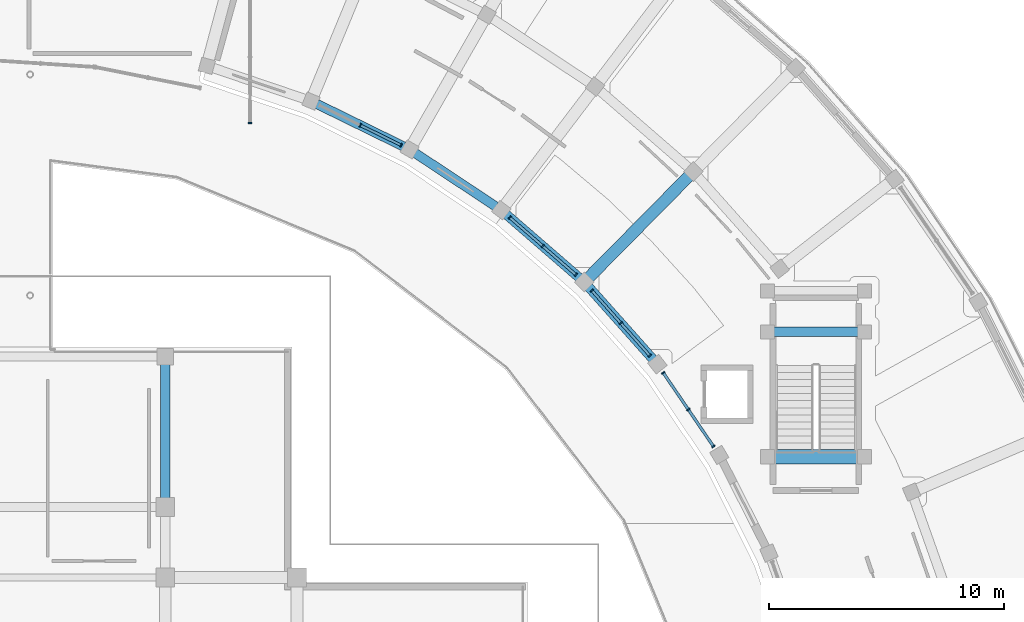
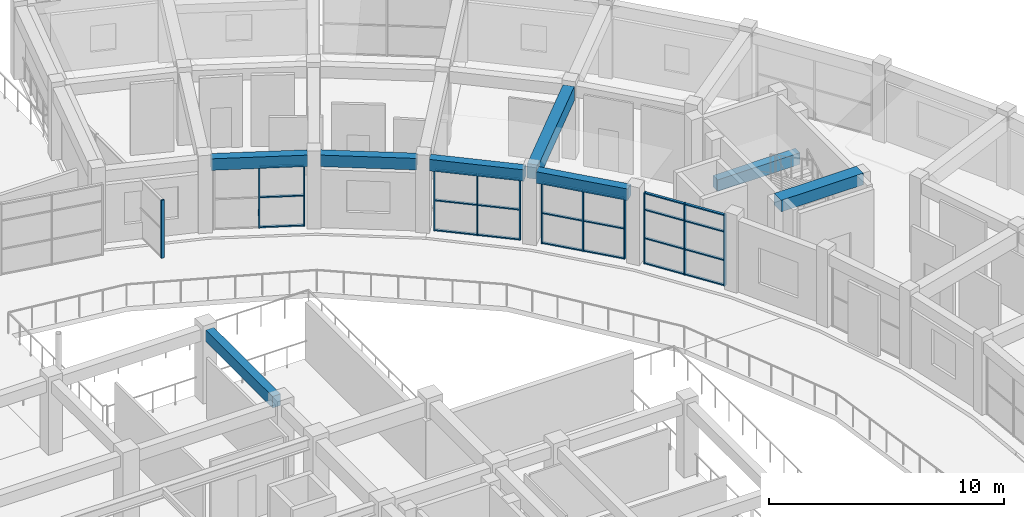
# One storey, part 36 of 83: 35 members, 8 beams, 5 elements without a shape of their own.
"""IFC4 building model written with IfcOpenShell, lengths in metres."""

from ifc_helpers import new_model, si_unit, direction, frame, origin, origin_2d, place, context, subcontext, project, spatial, rectangle, extrude, material, material_profile, profile_set, type_object, element, aggregate, save


model = new_model("IFC4")

# Units and contexts
model_context = context("Model", 3, precision=1e-05, world=origin(), true_north=direction((0.0, 1.0)))
body_context = subcontext(model_context, "Body", "Model", "MODEL_VIEW")
ifc_project = project(units=[si_unit("LENGTHUNIT", "METRE"), si_unit("AREAUNIT", "SQUARE_METRE"), si_unit("VOLUMEUNIT", "CUBIC_METRE"), si_unit("PLANEANGLEUNIT", "RADIAN"), si_unit("MASSUNIT", "GRAM", prefix="KILO")], contexts=[model_context])

# Site, building, storey
site_placement = place(None, origin())
site = spatial("IfcSite", under=ifc_project, at=site_placement, CompositionType="ELEMENT")
building_placement = place(site_placement, origin())
building = spatial("IfcBuilding", under=site, at=building_placement, Name="Saryqyr Civic Hall", CompositionType="ELEMENT")
storey_placement = place(building_placement, frame((0.0, 0.0, 9.14990234375)))
storey = spatial("IfcBuildingStorey", under=building, at=storey_placement, Name="L02", CompositionType="ELEMENT", Elevation=9.14990234375)

# Curtain wall, members
ifc_material_1 = material(Name="Anodised aluminium and triple low-E glass", Category="aluminium")
curtain_wall_type_1 = type_object("IfcCurtainWallType", Name="ENV-CW-STD-44", PredefinedType="NOTDEFINED", material=ifc_material_1)
curtain_wall_1_placement = place(storey_placement, origin())
curtain_wall_1 = element("IfcCurtainWall", 1, at=curtain_wall_1_placement, inside=storey, type_object=curtain_wall_type_1, Name="Curtain wall V6-CWI-L02-04", PredefinedType="NOTDEFINED")
ifc_material_2 = material(Name="Anodised aluminium", Category="aluminium")
ifc_material_profile_1 = material_profile(ifc_material_2, rectangle(XDim=0.06005859375, YDim=0.159912109375, at=origin_2d()), Name="ALU MULLION 60x160")
ifc_profile_set_1 = profile_set([ifc_material_profile_1], Name="Anodised aluminium")
member_type_1 = type_object("IfcMemberType", Name="ENV-CW-MUL-180", PredefinedType="MULLION", material=ifc_profile_set_1)
member_1_placement = place(storey_placement, frame((87.919921875, 102.77587890625, 0.0), z_axis=(0.0, 0.0, 1.0), x_axis=(-0.563129803105, 0.826368455869, 0.0)))
member_1 = element("IfcMember", 2, at=member_1_placement, type_object=member_type_1, Name="CW-44 mullion 1", PredefinedType="MULLION", context=body_context, shape_type="SweptSolid", body=[
    extrude(rectangle(XDim=0.06005859375, YDim=0.159912109375, at=origin_2d()), origin(), (0.0, 0.0, 1.0), 3.7001953125),
])
member_2_placement = place(storey_placement, frame((86.85205078125, 104.3427734375, 0.0), z_axis=(0.0, 0.0, 1.0), x_axis=(-0.563129803105, 0.826368455869, 0.0)))
member_2 = element("IfcMember", 3, at=member_2_placement, type_object=member_type_1, Name="CW-44 mullion 2", PredefinedType="MULLION", context=body_context, shape_type="SweptSolid", body=[
    extrude(rectangle(XDim=0.06005859375, YDim=0.159912109375, at=origin_2d()), origin(), (0.0, 0.0, 1.0), 3.7001953125),
])
member_3_placement = place(storey_placement, frame((85.7841796875, 105.90966796875, 0.0), z_axis=(0.0, 0.0, 1.0), x_axis=(-0.563129803105, 0.826368455869, 0.0)))
member_3 = element("IfcMember", 4, at=member_3_placement, type_object=member_type_1, Name="CW-44 mullion 3", PredefinedType="MULLION", context=body_context, shape_type="SweptSolid", body=[
    extrude(rectangle(XDim=0.06005859375, YDim=0.159912109375, at=origin_2d()), origin(), (0.0, 0.0, 1.0), 3.7001953125),
])

curtain_wall_type_2 = type_object("IfcCurtainWallType", Name="ENV-CW-STD-27", PredefinedType="NOTDEFINED", material=ifc_material_1)
curtain_wall_2_placement = place(storey_placement, origin())
curtain_wall_2 = element("IfcCurtainWall", 5, at=curtain_wall_2_placement, inside=storey, type_object=curtain_wall_type_2, Name="Curtain wall V6-CWI-L02-05", PredefinedType="NOTDEFINED")
member_4_placement = place(storey_placement, frame((85.213134765625, 106.636962890625, 0.0), z_axis=(0.0, 0.0, 1.0), x_axis=(-0.664934070862, 0.7469020561, 0.0)))
member_4 = element("IfcMember", 6, at=member_4_placement, type_object=member_type_1, Name="CW-27 mullion 1", PredefinedType="MULLION", context=body_context, shape_type="SweptSolid", body=[
    extrude(rectangle(XDim=0.06005859375, YDim=0.159912109375, at=origin_2d()), origin(), (0.0, 0.0, 1.0), 3.1650390625),
])
member_5_placement = place(storey_placement, frame((83.981201171875, 108.0205078125, 0.0), z_axis=(0.0, 0.0, 1.0), x_axis=(-0.664934070862, 0.7469020561, 0.0)))
member_5 = element("IfcMember", 7, at=member_5_placement, type_object=member_type_1, Name="CW-27 mullion 2", PredefinedType="MULLION", context=body_context, shape_type="SweptSolid", body=[
    extrude(rectangle(XDim=0.06005859375, YDim=0.159912109375, at=origin_2d()), origin(), (0.0, 0.0, 1.0), 3.1650390625),
])
member_6_placement = place(storey_placement, frame((82.74951171875, 109.404052734375, 0.0), z_axis=(0.0, 0.0, 1.0), x_axis=(-0.664934070862, 0.7469020561, 0.0)))
member_6 = element("IfcMember", 8, at=member_6_placement, type_object=member_type_1, Name="CW-27 mullion 3", PredefinedType="MULLION", context=body_context, shape_type="SweptSolid", body=[
    extrude(rectangle(XDim=0.06005859375, YDim=0.159912109375, at=origin_2d()), origin(), (0.0, 0.0, 1.0), 3.1650390625),
])

curtain_wall_3_placement = place(storey_placement, origin())
curtain_wall_3 = element("IfcCurtainWall", 9, at=curtain_wall_3_placement, inside=storey, type_object=curtain_wall_type_2, Name="Curtain wall V6-CWI-L02-06", PredefinedType="NOTDEFINED")
member_7_placement = place(storey_placement, frame((82.064208984375, 110.080810546875, 0.0), z_axis=(0.0, 0.0, 1.0), x_axis=(-0.755651502076, 0.654973898267, 0.0)))
member_7 = element("IfcMember", 10, at=member_7_placement, type_object=member_type_1, Name="CW-27 mullion 1", PredefinedType="MULLION", context=body_context, shape_type="SweptSolid", body=[
    extrude(rectangle(XDim=0.06005859375, YDim=0.159912109375, at=origin_2d()), origin(), (0.0, 0.0, 1.0), 3.1650390625),
])
member_8_placement = place(storey_placement, frame((80.660400390625, 111.297607421875, 0.0), z_axis=(0.0, 0.0, 1.0), x_axis=(-0.755651502076, 0.654973898267, 0.0)))
member_8 = element("IfcMember", 11, at=member_8_placement, type_object=member_type_1, Name="CW-27 mullion 2", PredefinedType="MULLION", context=body_context, shape_type="SweptSolid", body=[
    extrude(rectangle(XDim=0.06005859375, YDim=0.159912109375, at=origin_2d()), origin(), (0.0, 0.0, 1.0), 3.1650390625),
])
member_9_placement = place(storey_placement, frame((79.256591796875, 112.514404296875, 0.0), z_axis=(0.0, 0.0, 1.0), x_axis=(-0.755651502076, 0.654973898267, 0.0)))
member_9 = element("IfcMember", 12, at=member_9_placement, type_object=member_type_1, Name="CW-27 mullion 3", PredefinedType="MULLION", context=body_context, shape_type="SweptSolid", body=[
    extrude(rectangle(XDim=0.06005859375, YDim=0.159912109375, at=origin_2d()), origin(), (0.0, 0.0, 1.0), 3.1650390625),
])

curtain_wall_type_3 = type_object("IfcCurtainWallType", Name="ENV-CW-STD-25", PredefinedType="NOTDEFINED", material=ifc_material_1)
curtain_wall_4_placement = place(storey_placement, origin())
curtain_wall_4 = element("IfcCurtainWall", 13, at=curtain_wall_4_placement, inside=storey, type_object=curtain_wall_type_3, Name="Curtain wall V6-CWI-L02-08", PredefinedType="NOTDEFINED")
member_10_placement = place(storey_placement, frame((74.62890625, 115.58984375, 0.0), z_axis=(0.0, 0.0, 1.0), x_axis=(-0.897961859945, 0.440073287175, 0.0)))
member_10 = element("IfcMember", 14, at=member_10_placement, type_object=member_type_1, Name="CW-25 mullion 1", PredefinedType="MULLION", context=body_context, shape_type="SweptSolid", body=[
    extrude(rectangle(XDim=0.06005859375, YDim=0.159912109375, at=origin_2d()), origin(), (0.0, 0.0, 1.0), 3.1650390625),
])
member_11_placement = place(storey_placement, frame((72.896728515625, 116.438720703125, 0.0), z_axis=(0.0, 0.0, 1.0), x_axis=(-0.897961859945, 0.440073287175, 0.0)))
member_11 = element("IfcMember", 15, at=member_11_placement, type_object=member_type_1, Name="CW-25 mullion 2", PredefinedType="MULLION", context=body_context, shape_type="SweptSolid", body=[
    extrude(rectangle(XDim=0.06005859375, YDim=0.159912109375, at=origin_2d()), origin(), (0.0, 0.0, 1.0), 3.1650390625),
])

# Curtain wall, member
curtain_wall_type_4 = type_object("IfcCurtainWallType", Name="ENV-CW-STD-79", PredefinedType="NOTDEFINED", material=ifc_material_1)
curtain_wall_5_placement = place(storey_placement, origin())
curtain_wall_5 = element("IfcCurtainWall", 16, at=curtain_wall_5_placement, inside=storey, type_object=curtain_wall_type_4, Name="Curtain wall V2-VESTFLK-NE-L02", PredefinedType="NOTDEFINED")
member_12_placement = place(storey_placement, frame((68.199951171875, 116.530029296875, 0.0), z_axis=(0.0, 0.0, 1.0), x_axis=(0.0, -1.0, 0.0)))
member_12 = element("IfcMember", 17, at=member_12_placement, type_object=member_type_1, Name="CW-79 mullion 4", PredefinedType="MULLION", context=body_context, shape_type="SweptSolid", body=[
    extrude(rectangle(XDim=0.06005859375, YDim=0.159912109375, at=origin_2d()), origin(), (0.0, 0.0, 1.0), 3.01513671875),
])
aggregate(curtain_wall_5, [member_12])

# Member
ifc_material_profile_2 = material_profile(ifc_material_2, rectangle(XDim=0.1201171875, YDim=0.06005859375, at=origin_2d()), Name="ALU TRANSOM 120x60")
ifc_profile_set_2 = profile_set([ifc_material_profile_2], Name="Anodised aluminium")
member_type_2 = type_object("IfcMemberType", Name="ENV-CW-TRN-150", PredefinedType="USERDEFINED", material=ifc_profile_set_2)
member_13_placement = place(storey_placement, frame((87.903076171875, 102.800537109375, 0.030029296875), z_axis=(-0.563200673278, 0.826320156852, 0.0), x_axis=(-0.826320156852, -0.563200673278, 0.0)))
member_13 = element("IfcMember", 18, at=member_13_placement, type_object=member_type_2, Name="CW-44 transom 1.1", ObjectType="TRANSOM", PredefinedType="USERDEFINED", context=body_context, shape_type="SweptSolid", body=[
    extrude(rectangle(XDim=0.1201171875, YDim=0.06005859375, at=origin_2d()), origin(), (0.0, 0.0, 1.0), 1.836181640625),
])

member_14_placement = place(storey_placement, frame((87.903076171875, 102.800537109375, 1.33203125), z_axis=(-0.563200673278, 0.826320156852, 0.0), x_axis=(-0.826320156852, -0.563200673278, 0.0)))
member_14 = element("IfcMember", 19, at=member_14_placement, type_object=member_type_2, Name="CW-44 transom 1.2", ObjectType="TRANSOM", PredefinedType="USERDEFINED", context=body_context, shape_type="SweptSolid", body=[
    extrude(rectangle(XDim=0.1201171875, YDim=0.06005859375, at=origin_2d()), origin(), (0.0, 0.0, 1.0), 1.836181640625),
])

member_15_placement = place(storey_placement, frame((87.903076171875, 102.800537109375, 2.81201171875), z_axis=(-0.563200673278, 0.826320156852, 0.0), x_axis=(-0.826320156852, -0.563200673278, 0.0)))
member_15 = element("IfcMember", 20, at=member_15_placement, type_object=member_type_2, Name="CW-44 transom 1.3", ObjectType="TRANSOM", PredefinedType="USERDEFINED", context=body_context, shape_type="SweptSolid", body=[
    extrude(rectangle(XDim=0.1201171875, YDim=0.06005859375, at=origin_2d()), origin(), (0.0, 0.0, 1.0), 1.836181640625),
])

member_16_placement = place(storey_placement, frame((87.903076171875, 102.800537109375, 3.670166015625), z_axis=(-0.563200673278, 0.826320156852, 0.0), x_axis=(-0.826320156852, -0.563200673278, 0.0)))
member_16 = element("IfcMember", 21, at=member_16_placement, type_object=member_type_2, Name="CW-44 transom 1.4", ObjectType="TRANSOM", PredefinedType="USERDEFINED", context=body_context, shape_type="SweptSolid", body=[
    extrude(rectangle(XDim=0.1201171875, YDim=0.06005859375, at=origin_2d()), origin(), (0.0, 0.0, 1.0), 1.836181640625),
])

member_17_placement = place(storey_placement, frame((86.835205078125, 104.367431640625, 0.030029296875), z_axis=(-0.56304801064, 0.826424187518, 0.0), x_axis=(-0.826424187518, -0.56304801064, 0.0)))
member_17 = element("IfcMember", 22, at=member_17_placement, type_object=member_type_2, Name="CW-44 transom 2.1", ObjectType="TRANSOM", PredefinedType="USERDEFINED", context=body_context, shape_type="SweptSolid", body=[
    extrude(rectangle(XDim=0.1201171875, YDim=0.06005859375, at=origin_2d()), origin(), (0.0, 0.0, 1.0), 1.83642578125),
])

member_18_placement = place(storey_placement, frame((86.835205078125, 104.367431640625, 1.33203125), z_axis=(-0.56304801064, 0.826424187518, 0.0), x_axis=(-0.826424187518, -0.56304801064, 0.0)))
member_18 = element("IfcMember", 23, at=member_18_placement, type_object=member_type_2, Name="CW-44 transom 2.2", ObjectType="TRANSOM", PredefinedType="USERDEFINED", context=body_context, shape_type="SweptSolid", body=[
    extrude(rectangle(XDim=0.1201171875, YDim=0.06005859375, at=origin_2d()), origin(), (0.0, 0.0, 1.0), 1.83642578125),
])

member_19_placement = place(storey_placement, frame((86.835205078125, 104.367431640625, 2.81201171875), z_axis=(-0.56304801064, 0.826424187518, 0.0), x_axis=(-0.826424187518, -0.56304801064, 0.0)))
member_19 = element("IfcMember", 24, at=member_19_placement, type_object=member_type_2, Name="CW-44 transom 2.3", ObjectType="TRANSOM", PredefinedType="USERDEFINED", context=body_context, shape_type="SweptSolid", body=[
    extrude(rectangle(XDim=0.1201171875, YDim=0.06005859375, at=origin_2d()), origin(), (0.0, 0.0, 1.0), 1.83642578125),
])

member_20_placement = place(storey_placement, frame((86.835205078125, 104.367431640625, 3.670166015625), z_axis=(-0.56304801064, 0.826424187518, 0.0), x_axis=(-0.826424187518, -0.56304801064, 0.0)))
member_20 = element("IfcMember", 25, at=member_20_placement, type_object=member_type_2, Name="CW-44 transom 2.4", ObjectType="TRANSOM", PredefinedType="USERDEFINED", context=body_context, shape_type="SweptSolid", body=[
    extrude(rectangle(XDim=0.1201171875, YDim=0.06005859375, at=origin_2d()), origin(), (0.0, 0.0, 1.0), 1.83642578125),
])

aggregate(curtain_wall_1, [member_1, member_2, member_3, member_13, member_14, member_15, member_16, member_17, member_18, member_19, member_20])

member_21_placement = place(storey_placement, frame((85.193115234375, 106.659423828125, 0.030029296875), z_axis=(-0.664989244005, 0.746852934223, 0.0), x_axis=(-0.746852934223, -0.664989244005, 0.0)))
member_21 = element("IfcMember", 26, at=member_21_placement, type_object=member_type_2, Name="CW-27 transom 1.1", ObjectType="TRANSOM", PredefinedType="USERDEFINED", context=body_context, shape_type="SweptSolid", body=[
    extrude(rectangle(XDim=0.1201171875, YDim=0.06005859375, at=origin_2d()), origin(), (0.0, 0.0, 1.0), 1.792236328125),
])

member_22_placement = place(storey_placement, frame((85.193115234375, 106.659423828125, 1.58203125), z_axis=(-0.664989244005, 0.746852934223, 0.0), x_axis=(-0.746852934223, -0.664989244005, 0.0)))
member_22 = element("IfcMember", 27, at=member_22_placement, type_object=member_type_2, Name="CW-27 transom 1.2", ObjectType="TRANSOM", PredefinedType="USERDEFINED", context=body_context, shape_type="SweptSolid", body=[
    extrude(rectangle(XDim=0.1201171875, YDim=0.06005859375, at=origin_2d()), origin(), (0.0, 0.0, 1.0), 1.792236328125),
])

member_23_placement = place(storey_placement, frame((85.193115234375, 106.659423828125, 3.135009765625), z_axis=(-0.664989244005, 0.746852934223, 0.0), x_axis=(-0.746852934223, -0.664989244005, 0.0)))
member_23 = element("IfcMember", 28, at=member_23_placement, type_object=member_type_2, Name="CW-27 transom 1.3", ObjectType="TRANSOM", PredefinedType="USERDEFINED", context=body_context, shape_type="SweptSolid", body=[
    extrude(rectangle(XDim=0.1201171875, YDim=0.06005859375, at=origin_2d()), origin(), (0.0, 0.0, 1.0), 1.792236328125),
])

member_24_placement = place(storey_placement, frame((83.96142578125, 108.04296875, 0.030029296875), z_axis=(-0.664989244005, 0.746852934223, 0.0), x_axis=(-0.746852934223, -0.664989244005, 0.0)))
member_24 = element("IfcMember", 29, at=member_24_placement, type_object=member_type_2, Name="CW-27 transom 2.1", ObjectType="TRANSOM", PredefinedType="USERDEFINED", context=body_context, shape_type="SweptSolid", body=[
    extrude(rectangle(XDim=0.1201171875, YDim=0.06005859375, at=origin_2d()), origin(), (0.0, 0.0, 1.0), 1.792236328125),
])

member_25_placement = place(storey_placement, frame((83.96142578125, 108.04296875, 1.58203125), z_axis=(-0.664989244005, 0.746852934223, 0.0), x_axis=(-0.746852934223, -0.664989244005, 0.0)))
member_25 = element("IfcMember", 30, at=member_25_placement, type_object=member_type_2, Name="CW-27 transom 2.2", ObjectType="TRANSOM", PredefinedType="USERDEFINED", context=body_context, shape_type="SweptSolid", body=[
    extrude(rectangle(XDim=0.1201171875, YDim=0.06005859375, at=origin_2d()), origin(), (0.0, 0.0, 1.0), 1.792236328125),
])

member_26_placement = place(storey_placement, frame((83.96142578125, 108.04296875, 3.135009765625), z_axis=(-0.664989244005, 0.746852934223, 0.0), x_axis=(-0.746852934223, -0.664989244005, 0.0)))
member_26 = element("IfcMember", 31, at=member_26_placement, type_object=member_type_2, Name="CW-27 transom 2.3", ObjectType="TRANSOM", PredefinedType="USERDEFINED", context=body_context, shape_type="SweptSolid", body=[
    extrude(rectangle(XDim=0.1201171875, YDim=0.06005859375, at=origin_2d()), origin(), (0.0, 0.0, 1.0), 1.792236328125),
])

aggregate(curtain_wall_2, [member_4, member_5, member_6, member_21, member_22, member_23, member_24, member_25, member_26])

member_27_placement = place(storey_placement, frame((82.04150390625, 110.1005859375, 0.030029296875), z_axis=(-0.755698045408, 0.654920196793, 0.0), x_axis=(-0.654920196793, -0.755698045408, 0.0)))
member_27 = element("IfcMember", 32, at=member_27_placement, type_object=member_type_2, Name="CW-27 transom 1.1", ObjectType="TRANSOM", PredefinedType="USERDEFINED", context=body_context, shape_type="SweptSolid", body=[
    extrude(rectangle(XDim=0.1201171875, YDim=0.06005859375, at=origin_2d()), origin(), (0.0, 0.0, 1.0), 1.797607421875),
])

member_28_placement = place(storey_placement, frame((82.04150390625, 110.1005859375, 1.58203125), z_axis=(-0.755698045408, 0.654920196793, 0.0), x_axis=(-0.654920196793, -0.755698045408, 0.0)))
member_28 = element("IfcMember", 33, at=member_28_placement, type_object=member_type_2, Name="CW-27 transom 1.2", ObjectType="TRANSOM", PredefinedType="USERDEFINED", context=body_context, shape_type="SweptSolid", body=[
    extrude(rectangle(XDim=0.1201171875, YDim=0.06005859375, at=origin_2d()), origin(), (0.0, 0.0, 1.0), 1.797607421875),
])

member_29_placement = place(storey_placement, frame((82.04150390625, 110.1005859375, 3.135009765625), z_axis=(-0.755698045408, 0.654920196793, 0.0), x_axis=(-0.654920196793, -0.755698045408, 0.0)))
member_29 = element("IfcMember", 34, at=member_29_placement, type_object=member_type_2, Name="CW-27 transom 1.3", ObjectType="TRANSOM", PredefinedType="USERDEFINED", context=body_context, shape_type="SweptSolid", body=[
    extrude(rectangle(XDim=0.1201171875, YDim=0.06005859375, at=origin_2d()), origin(), (0.0, 0.0, 1.0), 1.797607421875),
])

member_30_placement = place(storey_placement, frame((80.6376953125, 111.317138671875, 0.030029296875), z_axis=(-0.755630827507, 0.654997750012, 0.0), x_axis=(-0.654997750012, -0.755630827507, 0.0)))
member_30 = element("IfcMember", 35, at=member_30_placement, type_object=member_type_2, Name="CW-27 transom 2.1", ObjectType="TRANSOM", PredefinedType="USERDEFINED", context=body_context, shape_type="SweptSolid", body=[
    extrude(rectangle(XDim=0.1201171875, YDim=0.06005859375, at=origin_2d()), origin(), (0.0, 0.0, 1.0), 1.797607421875),
])

member_31_placement = place(storey_placement, frame((80.6376953125, 111.317138671875, 1.58203125), z_axis=(-0.755630827507, 0.654997750012, 0.0), x_axis=(-0.654997750012, -0.755630827507, 0.0)))
member_31 = element("IfcMember", 36, at=member_31_placement, type_object=member_type_2, Name="CW-27 transom 2.2", ObjectType="TRANSOM", PredefinedType="USERDEFINED", context=body_context, shape_type="SweptSolid", body=[
    extrude(rectangle(XDim=0.1201171875, YDim=0.06005859375, at=origin_2d()), origin(), (0.0, 0.0, 1.0), 1.797607421875),
])

member_32_placement = place(storey_placement, frame((80.6376953125, 111.317138671875, 3.135009765625), z_axis=(-0.755630827507, 0.654997750012, 0.0), x_axis=(-0.654997750012, -0.755630827507, 0.0)))
member_32 = element("IfcMember", 37, at=member_32_placement, type_object=member_type_2, Name="CW-27 transom 2.3", ObjectType="TRANSOM", PredefinedType="USERDEFINED", context=body_context, shape_type="SweptSolid", body=[
    extrude(rectangle(XDim=0.1201171875, YDim=0.06005859375, at=origin_2d()), origin(), (0.0, 0.0, 1.0), 1.797607421875),
])

aggregate(curtain_wall_3, [member_7, member_8, member_9, member_27, member_28, member_29, member_30, member_31, member_32])

member_33_placement = place(storey_placement, frame((74.60205078125, 115.60302734375, 0.030029296875), z_axis=(-0.897952102471, 0.44009319657, 0.0), x_axis=(-0.44009319657, -0.897952102471, 0.0)))
member_33 = element("IfcMember", 38, at=member_33_placement, type_object=member_type_2, Name="CW-25 transom 1.1", ObjectType="TRANSOM", PredefinedType="USERDEFINED", context=body_context, shape_type="SweptSolid", body=[
    extrude(rectangle(XDim=0.1201171875, YDim=0.06005859375, at=origin_2d()), origin(), (0.0, 0.0, 1.0), 1.868896484375),
])

member_34_placement = place(storey_placement, frame((74.60205078125, 115.60302734375, 1.58203125), z_axis=(-0.897952102471, 0.44009319657, 0.0), x_axis=(-0.44009319657, -0.897952102471, 0.0)))
member_34 = element("IfcMember", 39, at=member_34_placement, type_object=member_type_2, Name="CW-25 transom 1.2", ObjectType="TRANSOM", PredefinedType="USERDEFINED", context=body_context, shape_type="SweptSolid", body=[
    extrude(rectangle(XDim=0.1201171875, YDim=0.06005859375, at=origin_2d()), origin(), (0.0, 0.0, 1.0), 1.868896484375),
])

member_35_placement = place(storey_placement, frame((74.60205078125, 115.60302734375, 3.135009765625), z_axis=(-0.897952102471, 0.44009319657, 0.0), x_axis=(-0.44009319657, -0.897952102471, 0.0)))
member_35 = element("IfcMember", 40, at=member_35_placement, type_object=member_type_2, Name="CW-25 transom 1.3", ObjectType="TRANSOM", PredefinedType="USERDEFINED", context=body_context, shape_type="SweptSolid", body=[
    extrude(rectangle(XDim=0.1201171875, YDim=0.06005859375, at=origin_2d()), origin(), (0.0, 0.0, 1.0), 1.868896484375),
])

aggregate(curtain_wall_4, [member_10, member_11, member_33, member_34, member_35])

# Beams
ifc_material_3 = material(Name="Concrete C35/45", Category="concrete")
ifc_material_profile_3 = material_profile(ifc_material_3, rectangle(XDim=0.39990234375, YDim=0.60009765625, at=origin_2d()), Name="RC 400x600")
ifc_profile_set_3 = profile_set([ifc_material_profile_3], Name="Concrete C35/45")
beam_type_1 = type_object("IfcBeamType", Name="STR-BM-RC400x600", PredefinedType="BEAM", material=ifc_profile_set_3)
beam_1_placement = place(storey_placement, frame((64.60009765625, 100.574951171875, 3.489990234375), z_axis=(0.0, 1.0, 0.0), x_axis=(-1.0, 0.0, 0.0)))
element("IfcBeam", 41, at=beam_1_placement, inside=storey, type_object=beam_type_1, Name="Beam V1-TBM-12-L02", PredefinedType="BEAM", context=body_context, shape_type="SweptSolid", body=[
    extrude(rectangle(XDim=0.39990234375, YDim=0.60009765625, at=origin_2d()), origin(), (0.0, 0.0, 1.0), 5.699951171875),
])
beam_2_placement = place(storey_placement, frame((94.300048828125, 107.64990234375, 1.525146484375), z_axis=(-1.0, 0.0, 0.0), x_axis=(0.0, -1.0, 0.0)))
element("IfcBeam", 42, at=beam_2_placement, inside=storey, type_object=beam_type_1, Name="Stair half-landing support beam ST-6-LND1-L02", PredefinedType="BEAM", context=body_context, shape_type="SweptSolid", body=[
    extrude(rectangle(XDim=0.39990234375, YDim=0.60009765625, at=origin_2d()), origin(), (0.0, 0.0, 1.0), 4.0400390625),
])
ifc_material_profile_4 = material_profile(ifc_material_3, rectangle(XDim=0.39990234375, YDim=0.60009765625, at=origin_2d()), Name="RC 400x600")
ifc_profile_set_4 = profile_set([ifc_material_profile_4], Name="Concrete C35/45")
beam_type_2 = type_object("IfcBeamType", Name="STR-BM-RC400x600-EXT", PredefinedType="BEAM", material=ifc_profile_set_4)
beam_3_placement = place(storey_placement, frame((85.352783203125, 106.47998046875, 3.489990234375), z_axis=(-0.664933037621, 0.746902975948, 0.0), x_axis=(-0.746902975948, -0.664933037621, 0.0)))
element("IfcBeam", 43, at=beam_3_placement, inside=storey, type_object=beam_type_2, Name="Beam V6-CBM-IN05-L02", PredefinedType="BEAM", context=body_context, shape_type="SweptSolid", body=[
    extrude(rectangle(XDim=0.39990234375, YDim=0.60009765625, at=origin_2d()), origin(), (0.0, 0.0, 1.0), 4.125),
])
beam_4_placement = place(storey_placement, frame((82.218994140625, 109.946533203125, 3.489990234375), z_axis=(-0.755618782617, 0.655011645207, 0.0), x_axis=(-0.655011645207, -0.755618782617, 0.0)))
element("IfcBeam", 44, at=beam_4_placement, inside=storey, type_object=beam_type_2, Name="Beam V6-CBM-IN06-L02", PredefinedType="BEAM", context=body_context, shape_type="SweptSolid", body=[
    extrude(rectangle(XDim=0.39990234375, YDim=0.60009765625, at=origin_2d()), origin(), (0.0, 0.0, 1.0), 4.125244140625),
])
beam_5_placement = place(storey_placement, frame((78.664794921875, 112.98046875, 3.489990234375), z_axis=(-0.833757941264, 0.552130143516, 0.0), x_axis=(-0.552130143516, -0.833757941264, 0.0)))
element("IfcBeam", 45, at=beam_5_placement, inside=storey, type_object=beam_type_2, Name="Beam V6-CBM-IN07-L02", PredefinedType="BEAM", context=body_context, shape_type="SweptSolid", body=[
    extrude(rectangle(XDim=0.39990234375, YDim=0.60009765625, at=origin_2d()), origin(), (0.0, 0.0, 1.0), 4.12548828125),
])
beam_6_placement = place(storey_placement, frame((74.7490234375, 115.531005859375, 3.489990234375), z_axis=(-0.897961536886, 0.440073946371, 0.0), x_axis=(-0.440073946371, -0.897961536886, 0.0)))
element("IfcBeam", 46, at=beam_6_placement, inside=storey, type_object=beam_type_2, Name="Beam V6-CBM-IN08-L02", PredefinedType="BEAM", context=body_context, shape_type="SweptSolid", body=[
    extrude(rectangle(XDim=0.39990234375, YDim=0.60009765625, at=origin_2d()), origin(), (0.0, 0.0, 1.0), 4.125244140625),
])
ifc_material_4 = material(Name="Concrete C40/50", Category="concrete")
ifc_material_profile_5 = material_profile(ifc_material_4, rectangle(XDim=0.5, YDim=0.75, at=origin_2d()), Name="RC 500x750")
ifc_profile_set_5 = profile_set([ifc_material_profile_5], Name="Concrete C40/50")
beam_type_3 = type_object("IfcBeamType", Name="STR-BM-RC500x750", PredefinedType="BEAM", material=ifc_profile_set_5)
beam_7_placement = place(storey_placement, frame((82.6201171875, 109.962158203125, 3.4150390625), z_axis=(0.702389990829, 0.711792315766, 0.0), x_axis=(-0.711792315766, 0.702389990829, 0.0)))
element("IfcBeam", 47, at=beam_7_placement, inside=storey, type_object=beam_type_3, Name="Beam V6-RBM-A06-L02", PredefinedType="BEAM", context=body_context, shape_type="SweptSolid", body=[
    extrude(rectangle(XDim=0.5, YDim=0.75, at=origin_2d()), origin(), (0.0, 0.0, 1.0), 6.050048828125),
])
ifc_material_profile_6 = material_profile(ifc_material_4, rectangle(XDim=0.60009765625, YDim=0.60009765625, at=origin_2d()), Name="RC 600x600")
ifc_profile_set_6 = profile_set([ifc_material_profile_6], Name="Concrete C40/50")
beam_type_4 = type_object("IfcBeamType", Name="STR-BM-RC600x600", PredefinedType="BEAM", material=ifc_profile_set_6)
beam_8_placement = place(storey_placement, frame((94.300048828125, 102.3349609375, 3.75), z_axis=(-1.0, 0.0, 0.0), x_axis=(0.0, -1.0, 0.0)))
element("IfcBeam", 48, at=beam_8_placement, inside=storey, type_object=beam_type_4, Name="Stair well trimmer beam ST-6-L03", PredefinedType="BEAM", context=body_context, shape_type="SweptSolid", body=[
    extrude(rectangle(XDim=0.60009765625, YDim=0.60009765625, at=origin_2d()), origin(), (0.0, 0.0, 1.0), 4.0400390625),
])

save(model, "model.ifc")
